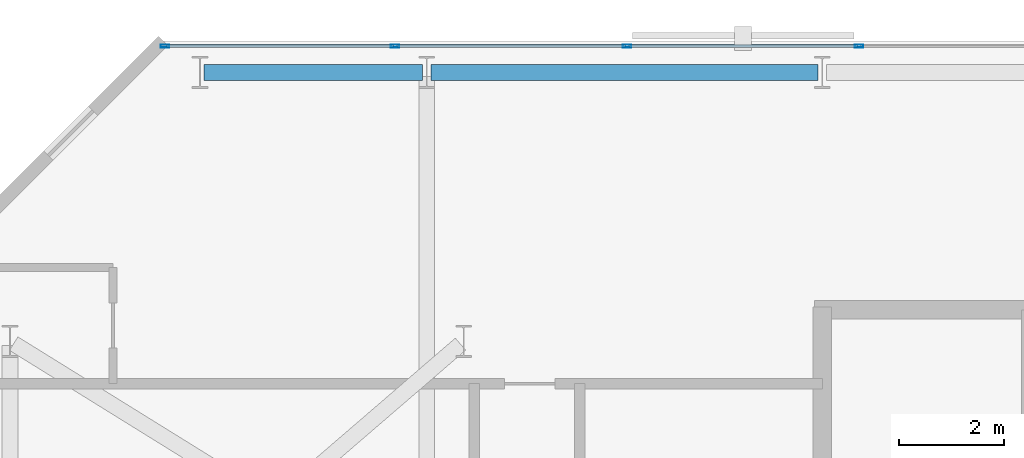
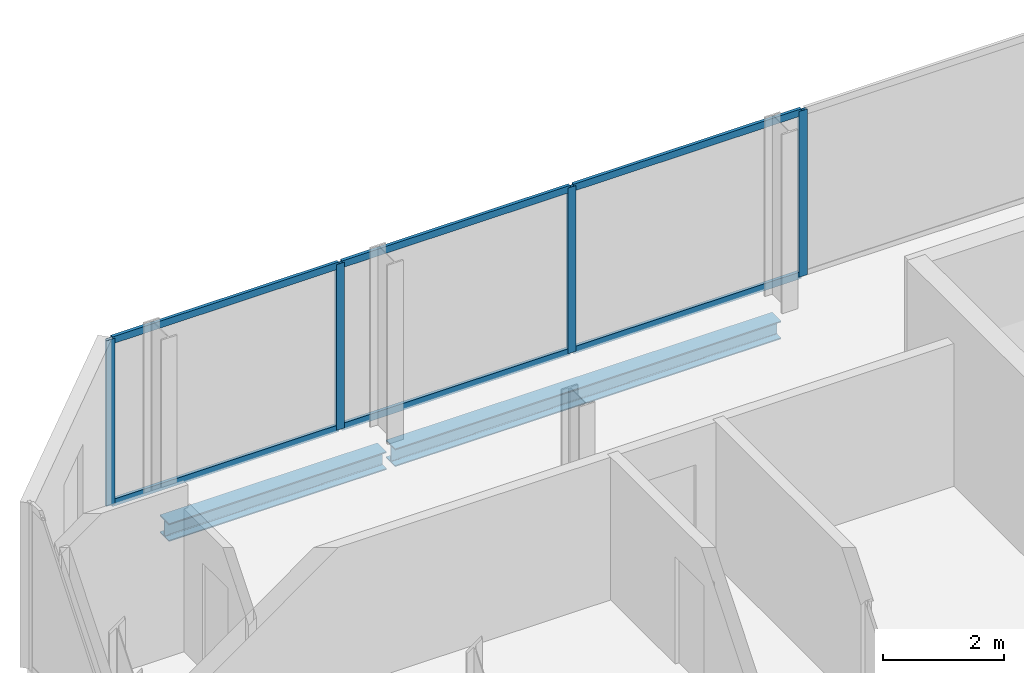
# One storey, part 19 of 32: 10 members, 2 beams, 1 element without a shape of its own.
"""IFC4 building model written with IfcOpenShell, lengths in metres."""

import ifcopenshell
import ifcopenshell.guid

model = None  # the IFC model being written
_history = None  # IfcOwnerHistory: only IFC2X3 demands one
_inside = {}  # id of a spatial element -> (the spatial element, [elements in it])
_under = {}  # id of a project, library or spatial element -> (it, [spatial elements below it])
_declared = {}  # id of a project -> (the project, [libraries it declares])
_typed = {}  # id of a type object -> (the type object, [elements of that type])
_made_of = {}  # id of a material, layer set ... -> (it, [elements and type objects made of it])


def new_model(schema):
    """Start an empty IFC model of exactly this schema.

    Asked for "IFC4X3", IfcOpenShell would pick the latest addendum, in which some entities
    have other attributes; the version numbers below select the first issue.
    IFC2X3 requires an IfcOwnerHistory on every rooted entity: one is made here for all.
    """
    global model, _history
    if schema == "IFC4X3":
        model = ifcopenshell.file(schema_version=(4, 3, 0, 0))
    else:
        model = ifcopenshell.file(schema=schema)
    _inside.clear()
    _under.clear()
    _declared.clear()
    _typed.clear()
    _made_of.clear()
    _history = None
    if model.schema == "IFC2X3":
        org = make("IfcOrganization", Name="unknown")
        user = make(
            "IfcPersonAndOrganization",
            ThePerson=make("IfcPerson", FamilyName="unknown"),
            TheOrganization=org,
        )
        app = make(
            "IfcApplication",
            ApplicationDeveloper=org,
            Version="unknown",
            ApplicationFullName="unknown",
            ApplicationIdentifier="unknown",
        )
        _history = make(
            "IfcOwnerHistory",
            OwningUser=user,
            OwningApplication=app,
            ChangeAction="ADDED",
            CreationDate=0,
        )
    return model


def make(cls, **values):
    """One entity of the class cls with the attributes given. An attribute that is None is left unset."""
    return model.create_entity(
        cls, **{name: value for name, value in values.items() if value is not None}
    )


def rooted(cls, **values):
    """An entity with a GlobalId (a new one), such as an element, a storey or a relation."""
    return make(cls, GlobalId=ifcopenshell.guid.new(), OwnerHistory=_history, **values)


def si_unit(unit_type, name, prefix=None):
    """IfcSIUnit, for example si_unit("LENGTHUNIT", "METRE", prefix="MILLI")."""
    return make("IfcSIUnit", UnitType=unit_type, Prefix=prefix, Name=name)


def assignment(units):
    """IfcUnitAssignment: the units of a project."""
    return None if units is None else make("IfcUnitAssignment", Units=units)


def point(xyz):
    """IfcCartesianPoint."""
    return None if xyz is None else make("IfcCartesianPoint", Coordinates=xyz)


def direction(xyz):
    """IfcDirection."""
    return None if xyz is None else make("IfcDirection", DirectionRatios=xyz)


def frame(location, z_axis=None, x_axis=None):
    """IfcAxis2Placement3D, a coordinate frame: its origin and axes. An axis left out is left unset."""
    return make(
        "IfcAxis2Placement3D",
        Location=point(location),
        Axis=direction(z_axis),
        RefDirection=direction(x_axis),
    )


def frame_2d(location, x_axis=None):
    """IfcAxis2Placement2D, a coordinate frame in the plane: its origin and x axis."""
    return make(
        "IfcAxis2Placement2D", Location=point(location), RefDirection=direction(x_axis)
    )


def origin():
    """The frame at (0, 0, 0) with its axes left unset."""
    return frame((0.0, 0.0, 0.0))


def origin_2d():
    """The frame at (0, 0) in the plane with its x axis left unset."""
    return frame_2d((0.0, 0.0))


def place(relative_to, where):
    """IfcLocalPlacement: puts the frame where relative to a parent placement (None: the world)."""
    return make(
        "IfcLocalPlacement", PlacementRelTo=relative_to, RelativePlacement=where
    )


def context(
    kind, dimensions, precision=None, world=None, true_north=None, identifier=None
):
    """IfcGeometricRepresentationContext, for example the 3D "Model" context."""
    return make(
        "IfcGeometricRepresentationContext",
        ContextIdentifier=identifier,
        ContextType=kind,
        CoordinateSpaceDimension=dimensions,
        Precision=precision,
        WorldCoordinateSystem=world,
        TrueNorth=true_north,
    )


def subcontext(parent, identifier, kind, view, scale=None):
    """IfcGeometricRepresentationSubContext, for example "Body" below "Model"."""
    return make(
        "IfcGeometricRepresentationSubContext",
        ContextIdentifier=identifier,
        ContextType=kind,
        ParentContext=parent,
        TargetScale=scale,
        TargetView=view,
    )


def project(units=None, contexts=None):
    """IfcProject with its units and contexts."""
    return rooted(
        "IfcProject",
        Name="project",
        RepresentationContexts=contexts,
        UnitsInContext=assignment(units),
    )


def spatial(cls, under=None, at=None, **own):
    """A site, building, storey or space (cls), placed at a placement, below another one or the project."""
    s = rooted(cls, ObjectPlacement=at, **own)
    if under is not None:
        _under.setdefault(under.id(), (under, []))[1].append(s)
    return s


def profile(cls, at=None, kind="AREA", **sizes):
    """A parametric profile (cls). Its sizes go by their IFC names, for example OverallWidth=200.0."""
    return make(cls, ProfileType=kind, Position=at, **sizes)


def hollow_rectangle(**sizes):
    """IfcRectangleHollowProfileDef."""
    return profile("IfcRectangleHollowProfileDef", **sizes)


def i_section(**sizes):
    """IfcIShapeProfileDef."""
    return profile("IfcIShapeProfileDef", **sizes)


def extrude(swept, where, along, depth):
    """IfcExtrudedAreaSolid: the profile swept, set in the frame where, extruded along a direction by depth."""
    return make(
        "IfcExtrudedAreaSolid",
        SweptArea=swept,
        Position=where,
        ExtrudedDirection=direction(along),
        Depth=depth,
    )


def shape(context_of_items, identifier, shape_type, items):
    """IfcShapeRepresentation: the items that make up one representation, for example the "Body"."""
    return make(
        "IfcShapeRepresentation",
        ContextOfItems=context_of_items,
        RepresentationIdentifier=identifier,
        RepresentationType=shape_type,
        Items=items,
    )


def material(Name=None, Category=None):
    """IfcMaterial."""
    return make("IfcMaterial", Name=Name, Category=Category)


def layer(
    of_material, thickness, ventilated=None, Name=None, Category=None, Priority=None
):
    """IfcMaterialLayer: one layer of a wall or slab, of a material (None: an air gap)."""
    return make(
        "IfcMaterialLayer",
        Material=of_material,
        LayerThickness=thickness,
        IsVentilated=ventilated,
        Name=Name,
        Category=Category,
        Priority=Priority,
    )


def layer_set(layers, Name=None):
    """IfcMaterialLayerSet."""
    return make("IfcMaterialLayerSet", MaterialLayers=layers, LayerSetName=Name)


def material_profile(
    of_material, cross_section, Name=None, Category=None, Priority=None
):
    """IfcMaterialProfile: a cross section and its material."""
    return make(
        "IfcMaterialProfile",
        Name=Name,
        Material=of_material,
        Profile=cross_section,
        Priority=Priority,
        Category=Category,
    )


def profile_set(profiles, Name=None, composite=None):
    """IfcMaterialProfileSet."""
    return make(
        "IfcMaterialProfileSet",
        Name=Name,
        MaterialProfiles=profiles,
        CompositeProfile=composite,
    )


def made_of(thing, what):
    """Note that an element or type object is made of a material, layer set ...; save() writes the relation."""
    if what is not None:
        _made_of.setdefault(what.id(), (what, []))[1].append(thing)
    return thing


def type_object(cls, material=None, **own):
    """A type object (cls), such as IfcWallType, which elements share."""
    return made_of(rooted(cls, **own), material)


def element(
    cls,
    number,
    at=None,
    inside=None,
    cuts=None,
    type_object=None,
    material=None,
    context=None,
    identifier="Body",
    shape_type=None,
    held_by="IfcProductDefinitionShape",
    body=None,
    shapes=None,
    **own,
):
    """One element of the class cls, such as IfcWall. Its Tag is "e" and its number.

    at: its placement. inside: the storey or other place that contains it. cuts: it is an
    opening in that element (IfcRelVoidsElement). A single representation is given by context,
    identifier, shape_type and body (its items); several are given by shapes. held_by: the class
    of the entity that holds the representations. save() writes the other relations.
    """
    e = rooted(cls, Tag="e%d" % number, ObjectPlacement=at, **own)
    if body is not None:
        shapes = [shape(context, identifier, shape_type, body)]
    if shapes is not None:
        e.Representation = make(held_by, Representations=shapes)
    if inside is not None:
        _inside.setdefault(inside.id(), (inside, []))[1].append(e)
    if cuts is not None:
        rooted(
            "IfcRelVoidsElement", RelatingBuildingElement=cuts, RelatedOpeningElement=e
        )
    if type_object is not None:
        _typed.setdefault(type_object.id(), (type_object, []))[1].append(e)
    return made_of(e, material)


def aggregate(whole, parts):
    """IfcRelAggregates: a whole, such as a stair, and the parts it consists of."""
    return rooted("IfcRelAggregates", RelatingObject=whole, RelatedObjects=parts)


def save(model, path):
    """Write the relations noted so far, then the file.

    IfcRelAggregates (storeys below a building ...), IfcRelContainedInSpatialStructure (elements
    in a storey), IfcRelDefinesByType, IfcRelAssociatesMaterial and IfcRelDeclares: one each for
    every whole, place, type object, material and project.
    """
    for whole, parts in _under.values():
        aggregate(whole, parts)
    for where, things in _inside.values():
        rooted(
            "IfcRelContainedInSpatialStructure",
            RelatedElements=things,
            RelatingStructure=where,
        )
    for kind, things in _typed.values():
        rooted("IfcRelDefinesByType", RelatedObjects=things, RelatingType=kind)
    for what, things in _made_of.values():
        rooted("IfcRelAssociatesMaterial", RelatedObjects=things, RelatingMaterial=what)
    for by, libraries in _declared.values():
        rooted("IfcRelDeclares", RelatingContext=by, RelatedDefinitions=libraries)
    model.write(path)


model = new_model("IFC4")

# Units and contexts
model_context = context("Model", 3, precision=1e-05, world=origin(), true_north=direction((0.0, 1.0)))
body_context = subcontext(model_context, "Body", "Model", "MODEL_VIEW")
ifc_project = project(units=[si_unit("LENGTHUNIT", "METRE"), si_unit("AREAUNIT", "SQUARE_METRE"), si_unit("VOLUMEUNIT", "CUBIC_METRE"), si_unit("PLANEANGLEUNIT", "RADIAN"), si_unit("MASSUNIT", "GRAM", prefix="KILO")], contexts=[model_context])

# Site, building, storey
site_placement = place(None, origin())
site = spatial("IfcSite", under=ifc_project, at=site_placement, CompositionType="ELEMENT")
building_placement = place(site_placement, origin())
building = spatial("IfcBuilding", under=site, at=building_placement, Name="Catumbela Crestline Tower", CompositionType="ELEMENT")
storey_placement = place(building_placement, frame((0.0, 0.0, 129.6)))
storey = spatial("IfcBuildingStorey", under=building, at=storey_placement, Name="L33", CompositionType="ELEMENT", Elevation=129.6)

# Curtain wall, members
ifc_material_1 = material(Name="Aluminium alloy AW-6060-T66", Category="aluminium")
ifc_layer = layer(ifc_material_1, 0.18, Name="Aluminium alloy AW-6060-T66")
ifc_layer_set = layer_set([ifc_layer], Name="Aluminium alloy AW-6060-T66")
curtain_wall_type = type_object("IfcCurtainWallType", Name="CWU-Z2", PredefinedType="USERDEFINED", material=ifc_layer_set)
curtain_wall_placement = place(storey_placement, origin())
curtain_wall = element("IfcCurtainWall", 1, at=curtain_wall_placement, inside=storey, type_object=curtain_wall_type, Name="L33 Unitised Curtain Wall CW-L33-E7S1", ObjectType="UNITISED", PredefinedType="USERDEFINED")
ifc_material_profile_1 = material_profile(ifc_material_1, hollow_rectangle(XDim=0.06, YDim=0.16, WallThickness=0.004, at=origin_2d()), Name="ALU 160x60x4")
ifc_profile_set_1 = profile_set([ifc_material_profile_1], Name="Aluminium alloy AW-6060-T66")
member_type_1 = type_object("IfcMemberType", Name="MUL-160X60", PredefinedType="MULLION", material=ifc_profile_set_1)
member_1_placement = place(storey_placement, frame((16.7, 47.9, 0.0), z_axis=(0.0, 0.0, 1.0), x_axis=(0.0, -1.0, 0.0)))
member_1 = element("IfcMember", 2, at=member_1_placement, type_object=member_type_1, Name="CWU-Z2 mullion 8", PredefinedType="MULLION", context=body_context, shape_type="SweptSolid", body=[
    extrude(hollow_rectangle(XDim=0.06, YDim=0.16, WallThickness=0.004, at=origin_2d()), origin(), (0.0, 0.0, 1.0), 3.33),
])
member_2_placement = place(storey_placement, frame((12.3, 47.9, 0.0), z_axis=(0.0, 0.0, 1.0), x_axis=(0.0, -1.0, 0.0)))
member_2 = element("IfcMember", 3, at=member_2_placement, type_object=member_type_1, Name="CWU-Z2 mullion 9", PredefinedType="MULLION", context=body_context, shape_type="SweptSolid", body=[
    extrude(hollow_rectangle(XDim=0.06, YDim=0.16, WallThickness=0.004, at=origin_2d()), origin(), (0.0, 0.0, 1.0), 3.33),
])
member_3_placement = place(storey_placement, frame((7.9, 47.9, 0.0), z_axis=(0.0, 0.0, 1.0), x_axis=(0.0, -1.0, 0.0)))
member_3 = element("IfcMember", 4, at=member_3_placement, type_object=member_type_1, Name="CWU-Z2 mullion 10", PredefinedType="MULLION", context=body_context, shape_type="SweptSolid", body=[
    extrude(hollow_rectangle(XDim=0.06, YDim=0.16, WallThickness=0.004, at=origin_2d()), origin(), (0.0, 0.0, 1.0), 3.33),
])
member_4_placement = place(storey_placement, frame((3.5325, 47.9, 0.0), z_axis=(0.0, 0.0, 1.0), x_axis=(0.0, -1.0, 0.0)))
member_4 = element("IfcMember", 5, at=member_4_placement, type_object=member_type_1, Name="CWU-Z2 mullion 11", PredefinedType="MULLION", context=body_context, shape_type="SweptSolid", body=[
    extrude(hollow_rectangle(XDim=0.06, YDim=0.16, WallThickness=0.004, at=origin_2d()), origin(), (0.0, 0.0, 1.0), 3.33),
])

# Beams
ifc_material_2 = material(Name="Structural steel S355J2", Category="steel")
ifc_material_profile_2 = material_profile(ifc_material_2, i_section(OverallWidth=0.3, OverallDepth=0.36, WebThickness=0.0125, FlangeThickness=0.0225, FilletRadius=0.027, at=origin_2d()), Name="HEB 360")
ifc_profile_set_2 = profile_set([ifc_material_profile_2], Name="Structural steel S355J2")
beam_type = type_object("IfcBeamType", Name="BS-HEB360", PredefinedType="SPANDREL", material=ifc_profile_set_2)
beam_1_placement = place(storey_placement, frame((4.28, 47.4, -0.44), z_axis=(1.0, 0.0, 0.0), x_axis=(0.0, 1.0, 0.0)))
element("IfcBeam", 6, at=beam_1_placement, inside=storey, type_object=beam_type, Name="L33 Spandrel SP-L33-NF17", PredefinedType="SPANDREL", context=body_context, shape_type="SweptSolid", body=[
    extrude(i_section(OverallWidth=0.3, OverallDepth=0.36, WebThickness=0.0125, FlangeThickness=0.0225, FilletRadius=0.027, at=origin_2d()), origin(), (0.0, 0.0, 1.0), 4.14),
])
beam_2_placement = place(storey_placement, frame((8.58, 47.4, -0.44), z_axis=(1.0, 0.0, 0.0), x_axis=(0.0, 1.0, 0.0)))
element("IfcBeam", 7, at=beam_2_placement, inside=storey, type_object=beam_type, Name="L33 Spandrel SP-L33-NF18", PredefinedType="SPANDREL", context=body_context, shape_type="SweptSolid", body=[
    extrude(i_section(OverallWidth=0.3, OverallDepth=0.36, WebThickness=0.0125, FlangeThickness=0.0225, FilletRadius=0.027, at=origin_2d()), origin(), (0.0, 0.0, 1.0), 7.34),
])

# Member
ifc_material_profile_3 = material_profile(ifc_material_1, hollow_rectangle(XDim=0.06, YDim=0.14, WallThickness=0.004, at=origin_2d()), Name="ALU 140x60x4")
ifc_profile_set_3 = profile_set([ifc_material_profile_3], Name="Aluminium alloy AW-6060-T66")
member_type_2 = type_object("IfcMemberType", Name="TRN-140X60", PredefinedType="USERDEFINED", material=ifc_profile_set_3)
member_5_placement = place(storey_placement, frame((16.6675, 47.9, 0.03), z_axis=(-1.0, 0.0, 0.0), x_axis=(0.0, -1.0, 0.0)))
member_5 = element("IfcMember", 8, at=member_5_placement, type_object=member_type_2, Name="CWU-Z2 transom 8.1", ObjectType="TRANSOM", PredefinedType="USERDEFINED", context=body_context, shape_type="SweptSolid", body=[
    extrude(hollow_rectangle(XDim=0.06, YDim=0.14, WallThickness=0.004, at=origin_2d()), origin(), (0.0, 0.0, 1.0), 4.335),
])

member_6_placement = place(storey_placement, frame((16.6675, 47.9, 3.3), z_axis=(-1.0, 0.0, 0.0), x_axis=(0.0, -1.0, 0.0)))
member_6 = element("IfcMember", 9, at=member_6_placement, type_object=member_type_2, Name="CWU-Z2 transom 8.2", ObjectType="TRANSOM", PredefinedType="USERDEFINED", context=body_context, shape_type="SweptSolid", body=[
    extrude(hollow_rectangle(XDim=0.06, YDim=0.14, WallThickness=0.004, at=origin_2d()), origin(), (0.0, 0.0, 1.0), 4.335),
])

member_7_placement = place(storey_placement, frame((12.2675, 47.9, 0.03), z_axis=(-1.0, 0.0, 0.0), x_axis=(0.0, -1.0, 0.0)))
member_7 = element("IfcMember", 10, at=member_7_placement, type_object=member_type_2, Name="CWU-Z2 transom 9.1", ObjectType="TRANSOM", PredefinedType="USERDEFINED", context=body_context, shape_type="SweptSolid", body=[
    extrude(hollow_rectangle(XDim=0.06, YDim=0.14, WallThickness=0.004, at=origin_2d()), origin(), (0.0, 0.0, 1.0), 4.335),
])

member_8_placement = place(storey_placement, frame((12.2675, 47.9, 3.3), z_axis=(-1.0, 0.0, 0.0), x_axis=(0.0, -1.0, 0.0)))
member_8 = element("IfcMember", 11, at=member_8_placement, type_object=member_type_2, Name="CWU-Z2 transom 9.2", ObjectType="TRANSOM", PredefinedType="USERDEFINED", context=body_context, shape_type="SweptSolid", body=[
    extrude(hollow_rectangle(XDim=0.06, YDim=0.14, WallThickness=0.004, at=origin_2d()), origin(), (0.0, 0.0, 1.0), 4.335),
])

member_9_placement = place(storey_placement, frame((7.8675, 47.9, 0.03), z_axis=(-1.0, 0.0, 0.0), x_axis=(0.0, -1.0, 0.0)))
member_9 = element("IfcMember", 12, at=member_9_placement, type_object=member_type_2, Name="CWU-Z2 transom 10.1", ObjectType="TRANSOM", PredefinedType="USERDEFINED", context=body_context, shape_type="SweptSolid", body=[
    extrude(hollow_rectangle(XDim=0.06, YDim=0.14, WallThickness=0.004, at=origin_2d()), origin(), (0.0, 0.0, 1.0), 4.3025),
])

member_10_placement = place(storey_placement, frame((7.8675, 47.9, 3.3), z_axis=(-1.0, 0.0, 0.0), x_axis=(0.0, -1.0, 0.0)))
member_10 = element("IfcMember", 13, at=member_10_placement, type_object=member_type_2, Name="CWU-Z2 transom 10.2", ObjectType="TRANSOM", PredefinedType="USERDEFINED", context=body_context, shape_type="SweptSolid", body=[
    extrude(hollow_rectangle(XDim=0.06, YDim=0.14, WallThickness=0.004, at=origin_2d()), origin(), (0.0, 0.0, 1.0), 4.3025),
])

aggregate(curtain_wall, [member_1, member_2, member_3, member_4, member_5, member_6, member_7, member_8, member_9, member_10])

save(model, "model.ifc")
